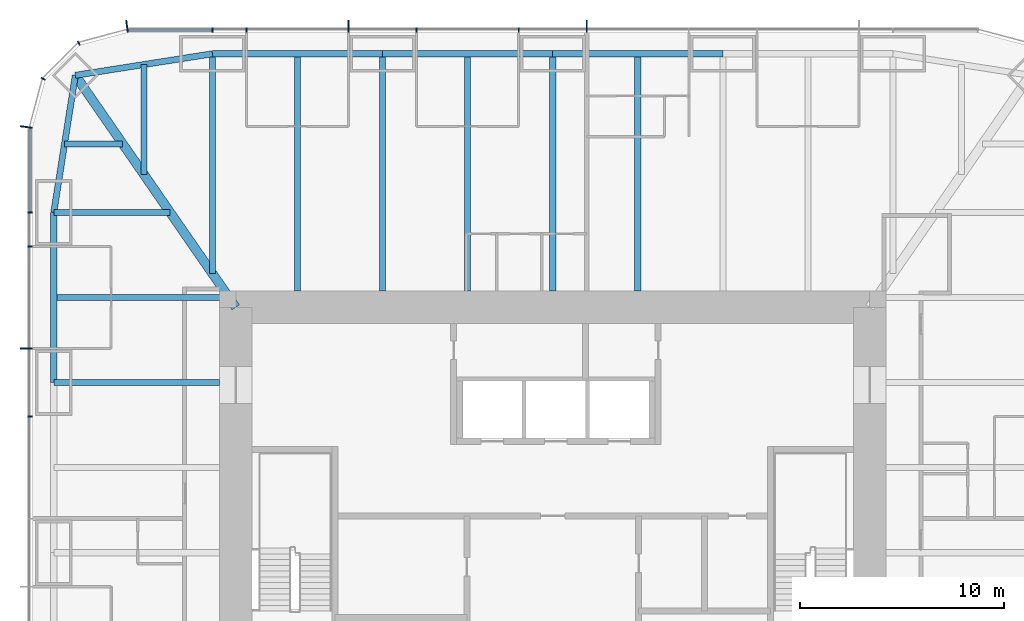
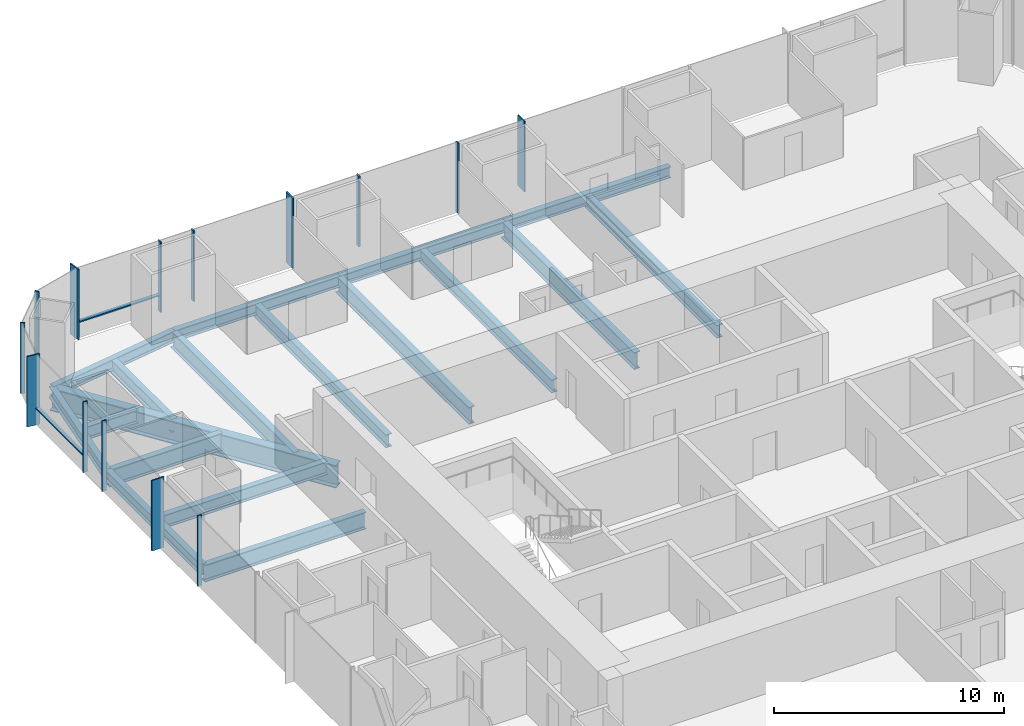
# One storey, part 5 of 13: 18 beams, 16 members, 3 elements without a shape of their own.
"""IFC4 building model written with IfcOpenShell, lengths in metres."""

from ifc_helpers import new_model, si_unit, direction, frame, origin, origin_2d, place, context, subcontext, project, spatial, rectangle, i_section, extrude, material, material_profile, profile_set, type_object, element, aggregate, save


model = new_model("IFC4")

# Units and contexts
model_context = context("Model", 3, precision=1e-05, world=origin(), true_north=direction((0.0, 1.0)))
body_context = subcontext(model_context, "Body", "Model", "MODEL_VIEW")
ifc_project = project(units=[si_unit("LENGTHUNIT", "METRE"), si_unit("AREAUNIT", "SQUARE_METRE"), si_unit("VOLUMEUNIT", "CUBIC_METRE"), si_unit("PLANEANGLEUNIT", "RADIAN"), si_unit("MASSUNIT", "GRAM", prefix="KILO")], contexts=[model_context])

# Site, building, storey
site_placement = place(None, origin())
site = spatial("IfcSite", under=ifc_project, at=site_placement, CompositionType="ELEMENT")
building_placement = place(site_placement, origin())
building = spatial("IfcBuilding", under=site, at=building_placement, Name="Khuree Lantern Residences", CompositionType="ELEMENT")
storey_placement = place(building_placement, frame((0.0, 0.0, 270.75)))
storey = spatial("IfcBuildingStorey", under=building, at=storey_placement, Name="L68", CompositionType="ELEMENT", Elevation=270.75)

# Beams
ifc_material_1 = material(Name="Steel S355", Category="steel")
ifc_material_profile_1 = material_profile(ifc_material_1, i_section(OverallWidth=0.300048828125, OverallDepth=0.68994140625, WebThickness=0.014404296875, FlangeThickness=0.027099609375, FilletRadius=0.027099609375, at=origin_2d()), Name="HE 700 A")
ifc_profile_set_1 = profile_set([ifc_material_profile_1], Name="Steel S355")
beam_type_1 = type_object("IfcBeamType", Name="B-35 SECONDARY BEAM HE 700 A", PredefinedType="BEAM", material=ifc_profile_set_1)
for number, where, z_axis, x_axis, name in (
    (1, (-12.47998046875, 24.39990234375, -0.594970703125), (0.0, -1.0, 0.0), (1.0, 0.0, 0.0), "Secondary beam N1"),
    (2, (-4.159912109375, 24.39990234375, -0.594970703125), (0.0, -1.0, 0.0), (1.0, 0.0, 0.0), "Secondary beam N2"),
    (3, (4.159912109375, 24.39990234375, -0.594970703125), (0.0, -1.0, 0.0), (1.0, 0.0, 0.0), "Secondary beam N3"),
):
    element("IfcBeam", number, at=place(storey_placement, frame(where, z_axis=z_axis, x_axis=x_axis)), inside=storey, type_object=beam_type_1, Name=name, PredefinedType="BEAM", context=body_context, shape_type="SweptSolid", body=[
        extrude(i_section(OverallWidth=0.300048828125, OverallDepth=0.68994140625, WebThickness=0.014404296875, FlangeThickness=0.027099609375, FilletRadius=0.027099609375, at=origin_2d()), origin(), (0.0, 0.0, 1.0), 11.599853515625),
    ])
beam_1_placement = place(storey_placement, frame((-24.39990234375, 12.47998046875, -0.594970703125), z_axis=(1.0, 0.0, 0.0), x_axis=(0.0, 1.0, 0.0)))
element("IfcBeam", 4, at=beam_1_placement, inside=storey, type_object=beam_type_1, Name="Secondary beam W5", PredefinedType="BEAM", context=body_context, shape_type="SweptSolid", body=[
    extrude(i_section(OverallWidth=0.300048828125, OverallDepth=0.68994140625, WebThickness=0.014404296875, FlangeThickness=0.027099609375, FilletRadius=0.027099609375, at=origin_2d()), origin(), (0.0, 0.0, 1.0), 8.56787109375),
])
beam_2_placement = place(storey_placement, frame((-23.872802734375, 19.992919921875, -0.594970703125), z_axis=(1.0, 0.0, 0.0), x_axis=(0.0, 1.0, 0.0)))
element("IfcBeam", 5, at=beam_2_placement, inside=storey, type_object=beam_type_1, Name="Secondary beam W6", PredefinedType="BEAM", context=body_context, shape_type="SweptSolid", body=[
    extrude(i_section(OverallWidth=0.300048828125, OverallDepth=0.68994140625, WebThickness=0.014404296875, FlangeThickness=0.027099609375, FilletRadius=0.027099609375, at=origin_2d()), origin(), (0.0, 0.0, 1.0), 2.845703125),
])
beam_3_placement = place(storey_placement, frame((-19.992919921875, 23.872802734375, -0.594970703125), z_axis=(0.0, -1.0, 0.0), x_axis=(1.0, 0.0, 0.0)))
element("IfcBeam", 6, at=beam_3_placement, inside=storey, type_object=beam_type_1, Name="Secondary beam N6", PredefinedType="BEAM", context=body_context, shape_type="SweptSolid", body=[
    extrude(i_section(OverallWidth=0.300048828125, OverallDepth=0.68994140625, WebThickness=0.014404296875, FlangeThickness=0.027099609375, FilletRadius=0.027099609375, at=origin_2d()), origin(), (0.0, 0.0, 1.0), 5.375732421875),
])
ifc_material_profile_2 = material_profile(ifc_material_1, i_section(OverallWidth=0.300048828125, OverallDepth=0.590087890625, WebThickness=0.012939453125, FlangeThickness=0.02490234375, FilletRadius=0.027099609375, at=origin_2d()), Name="HE 600 A")
ifc_profile_set_2 = profile_set([ifc_material_profile_2], Name="Steel S355")
beam_type_2 = type_object("IfcBeamType", Name="E-35 SPANDREL BEAM HE 600 A", PredefinedType="SPANDREL", material=ifc_profile_set_2)
beam_4_placement = place(storey_placement, frame((-16.639892578125, 24.39990234375, -0.544921875), z_axis=(1.0, 0.0, 0.0), x_axis=(0.0, 1.0, 0.0)))
element("IfcBeam", 7, at=beam_4_placement, inside=storey, type_object=beam_type_2, Name="Spandrel beam N1", PredefinedType="SPANDREL", context=body_context, shape_type="SweptSolid", body=[
    extrude(i_section(OverallWidth=0.300048828125, OverallDepth=0.590087890625, WebThickness=0.012939453125, FlangeThickness=0.02490234375, FilletRadius=0.027099609375, at=origin_2d()), origin(), (0.0, 0.0, 1.0), 8.31982421875),
])
for number, where, z_axis, x_axis, name in (
    (8, (-8.320068359375, 24.39990234375, -0.544921875), (1.0, 0.0, 0.0), (0.0, 1.0, 0.0), "Spandrel beam N2"),
    (9, (0.0, 24.39990234375, -0.544921875), (1.0, 0.0, 0.0), (0.0, 1.0, 0.0), "Spandrel beam N3"),
):
    element("IfcBeam", number, at=place(storey_placement, frame(where, z_axis=z_axis, x_axis=x_axis)), inside=storey, type_object=beam_type_2, Name=name, PredefinedType="SPANDREL", context=body_context, shape_type="SweptSolid", body=[
        extrude(i_section(OverallWidth=0.300048828125, OverallDepth=0.590087890625, WebThickness=0.012939453125, FlangeThickness=0.02490234375, FilletRadius=0.027099609375, at=origin_2d()), origin(), (0.0, 0.0, 1.0), 8.320068359375),
    ])
beam_5_placement = place(storey_placement, frame((-24.39990234375, 8.320068359375, -0.544921875), z_axis=(0.0, 1.0, 0.0), x_axis=(-1.0, 0.0, 0.0)))
element("IfcBeam", 10, at=beam_5_placement, inside=storey, type_object=beam_type_2, Name="Spandrel beam W5", PredefinedType="SPANDREL", context=body_context, shape_type="SweptSolid", body=[
    extrude(i_section(OverallWidth=0.300048828125, OverallDepth=0.590087890625, WebThickness=0.012939453125, FlangeThickness=0.02490234375, FilletRadius=0.027099609375, at=origin_2d()), origin(), (0.0, 0.0, 1.0), 8.31982421875),
])
for number, where, z_axis, x_axis, name in (
    (11, (-24.39990234375, 16.639892578125, -0.544921875), (0.155299507442, 0.98786743189, 0.0), (-0.98786743189, 0.155299507442, 0.0), "Spandrel beam W6"),
    (12, (-23.345703125, 23.345703125, -0.544921875), (0.98786743189, 0.155299507442, 0.0), (-0.155299507442, 0.98786743189, 0.0), "Spandrel beam N6"),
):
    element("IfcBeam", number, at=place(storey_placement, frame(where, z_axis=z_axis, x_axis=x_axis)), inside=storey, type_object=beam_type_2, Name=name, PredefinedType="SPANDREL", context=body_context, shape_type="SweptSolid", body=[
        extrude(i_section(OverallWidth=0.300048828125, OverallDepth=0.590087890625, WebThickness=0.012939453125, FlangeThickness=0.02490234375, FilletRadius=0.027099609375, at=origin_2d()), origin(), (0.0, 0.0, 1.0), 6.7880859375),
    ])

# Curtain wall, members
ifc_material_2 = material(Name="Bronze anodised aluminium", Category="aluminium")
curtain_wall_type_1 = type_object("IfcCurtainWallType", Name="CW-T1 TOWER FACE CURTAIN WALL", PredefinedType="USERDEFINED", material=ifc_material_2)
curtain_wall_1_placement = place(storey_placement, origin())
curtain_wall_1 = element("IfcCurtainWall", 13, at=curtain_wall_1_placement, inside=storey, type_object=curtain_wall_type_1, Name="L68 NORTH FACE CURTAIN WALL", ObjectType="Stick-built curtain wall", PredefinedType="USERDEFINED")
ifc_material_profile_3 = material_profile(ifc_material_2, rectangle(XDim=0.06494140625, YDim=0.60009765625, at=origin_2d()), Name="F1 65X600")
ifc_profile_set_3 = profile_set([ifc_material_profile_3], Name="Bronze anodised aluminium")
member_type_1 = type_object("IfcMemberType", Name="F1 BRONZE FIN MULLION TOWER 65X600", PredefinedType="MULLION", material=ifc_profile_set_3)
member_1_placement = place(storey_placement, frame((1.6640625, 25.75, 0.0), z_axis=(0.0, 0.0, 1.0), x_axis=(-1.0, 0.0, 0.0)))
member_1 = element("IfcMember", 14, at=member_1_placement, type_object=member_type_1, Name="L68 NORTH FACE FIN MULLION 23", PredefinedType="MULLION", context=body_context, shape_type="SweptSolid", body=[
    extrude(rectangle(XDim=0.06494140625, YDim=0.60009765625, at=origin_2d()), origin(), (0.0, 0.0, 1.0), 3.75),
])
member_2_placement = place(storey_placement, frame((-9.98388671875, 25.75, 0.0), z_axis=(0.0, 0.0, 1.0), x_axis=(-1.0, 0.0, 0.0)))
member_2 = element("IfcMember", 15, at=member_2_placement, type_object=member_type_1, Name="L68 NORTH FACE FIN MULLION 26", PredefinedType="MULLION", context=body_context, shape_type="SweptSolid", body=[
    extrude(rectangle(XDim=0.06494140625, YDim=0.60009765625, at=origin_2d()), origin(), (0.0, 0.0, 1.0), 3.75),
])

# Curtain wall, member
curtain_wall_type_2 = type_object("IfcCurtainWallType", Name="CW-T2 TOWER CORNER CURTAIN WALL", PredefinedType="USERDEFINED", material=ifc_material_2)
curtain_wall_2_placement = place(storey_placement, origin())
curtain_wall_2 = element("IfcCurtainWall", 16, at=curtain_wall_2_placement, inside=storey, type_object=curtain_wall_type_2, Name="L68 NORTH-WEST CORNER CURTAIN WALL", ObjectType="Faceted corner curtain wall", PredefinedType="USERDEFINED")
member_3_placement = place(storey_placement, frame((-20.81982421875, 25.75, 0.0), z_axis=(0.0, 0.0, 1.0), x_axis=(-0.991444862943, -0.130526180298, 0.0)))
member_3 = element("IfcMember", 17, at=member_3_placement, type_object=member_type_1, Name="L68 NORTH-WEST CORNER FIN MULLION 29", PredefinedType="MULLION", context=body_context, shape_type="SweptSolid", body=[
    extrude(rectangle(XDim=0.06494140625, YDim=0.60009765625, at=origin_2d()), origin(), (0.0, 0.0, 1.0), 3.75),
])

# Curtain wall, members
curtain_wall_3_placement = place(storey_placement, origin())
curtain_wall_3 = element("IfcCurtainWall", 18, at=curtain_wall_3_placement, inside=storey, type_object=curtain_wall_type_1, Name="L68 WEST FACE CURTAIN WALL", ObjectType="Stick-built curtain wall", PredefinedType="USERDEFINED")
member_4_placement = place(storey_placement, frame((-25.75, 20.81982421875, 0.0), z_axis=(0.0, 0.0, 1.0), x_axis=(-0.130526180298, -0.991444862943, 0.0)))
member_4 = element("IfcMember", 19, at=member_4_placement, type_object=member_type_1, Name="L68 WEST FACE FIN MULLION 32", PredefinedType="MULLION", context=body_context, shape_type="SweptSolid", body=[
    extrude(rectangle(XDim=0.06494140625, YDim=0.60009765625, at=origin_2d()), origin(), (0.0, 0.0, 1.0), 3.75),
])
member_5_placement = place(storey_placement, frame((-25.75, 9.98388671875, 0.0), z_axis=(0.0, 0.0, 1.0), x_axis=(0.0, -1.0, 0.0)))
member_5 = element("IfcMember", 20, at=member_5_placement, type_object=member_type_1, Name="L68 WEST FACE FIN MULLION 35", PredefinedType="MULLION", context=body_context, shape_type="SweptSolid", body=[
    extrude(rectangle(XDim=0.06494140625, YDim=0.60009765625, at=origin_2d()), origin(), (0.0, 0.0, 1.0), 3.75),
])

# Beams
ifc_material_profile_4 = material_profile(ifc_material_1, i_section(OverallWidth=0.300048828125, OverallDepth=0.89990234375, WebThickness=0.0185546875, FlangeThickness=0.034912109375, FilletRadius=0.030029296875, at=origin_2d()), Name="HE 900 B")
ifc_profile_set_4 = profile_set([ifc_material_profile_4], Name="Steel S355")
beam_type_3 = type_object("IfcBeamType", Name="G-35 GIRDER HE 900 B", PredefinedType="BEAM", material=ifc_profile_set_4)
beam_6_placement = place(storey_placement, frame((-16.639892578125, 24.39990234375, -0.699951171875), z_axis=(0.0, -1.0, 0.0), x_axis=(1.0, 0.0, 0.0)))
element("IfcBeam", 21, at=beam_6_placement, inside=storey, type_object=beam_type_3, Name="Girder N1", PredefinedType="BEAM", context=body_context, shape_type="SweptSolid", body=[
    extrude(i_section(OverallWidth=0.300048828125, OverallDepth=0.89990234375, WebThickness=0.0185546875, FlangeThickness=0.034912109375, FilletRadius=0.030029296875, at=origin_2d()), origin(), (0.0, 0.0, 1.0), 10.751220703125),
])
for number, where, z_axis, x_axis, name in (
    (22, (-8.320068359375, 24.39990234375, -0.699951171875), (0.0, -1.0, 0.0), (1.0, 0.0, 0.0), "Girder N2"),
    (23, (0.0, 24.39990234375, -0.699951171875), (0.0, -1.0, 0.0), (1.0, 0.0, 0.0), "Girder N3"),
):
    element("IfcBeam", number, at=place(storey_placement, frame(where, z_axis=z_axis, x_axis=x_axis)), inside=storey, type_object=beam_type_3, Name=name, PredefinedType="BEAM", context=body_context, shape_type="SweptSolid", body=[
        extrude(i_section(OverallWidth=0.300048828125, OverallDepth=0.89990234375, WebThickness=0.0185546875, FlangeThickness=0.034912109375, FilletRadius=0.030029296875, at=origin_2d()), origin(), (0.0, 0.0, 1.0), 11.599853515625),
    ])
beam_7_placement = place(storey_placement, frame((-24.39990234375, 8.320068359375, -0.699951171875), z_axis=(1.0, 0.0, 0.0), x_axis=(0.0, 1.0, 0.0)))
element("IfcBeam", 24, at=beam_7_placement, inside=storey, type_object=beam_type_3, Name="Girder W4", PredefinedType="BEAM", context=body_context, shape_type="SweptSolid", body=[
    extrude(i_section(OverallWidth=0.300048828125, OverallDepth=0.89990234375, WebThickness=0.0185546875, FlangeThickness=0.034912109375, FilletRadius=0.030029296875, at=origin_2d()), origin(), (0.0, 0.0, 1.0), 8.099853515625),
])
beam_8_placement = place(storey_placement, frame((-24.39990234375, 16.639892578125, -0.699951171875), z_axis=(1.0, 0.0, 0.0), x_axis=(0.0, 1.0, 0.0)))
element("IfcBeam", 25, at=beam_8_placement, inside=storey, type_object=beam_type_3, Name="Girder W5", PredefinedType="BEAM", context=body_context, shape_type="SweptSolid", body=[
    extrude(i_section(OverallWidth=0.300048828125, OverallDepth=0.89990234375, WebThickness=0.0185546875, FlangeThickness=0.034912109375, FilletRadius=0.030029296875, at=origin_2d()), origin(), (0.0, 0.0, 1.0), 5.69140625),
])
ifc_material_profile_5 = material_profile(ifc_material_1, i_section(OverallWidth=0.449951171875, OverallDepth=1.199951171875, WebThickness=0.02490234375, FlangeThickness=0.044921875, at=origin_2d()), Name="WELDED I 1200X450X25X45")
ifc_profile_set_5 = profile_set([ifc_material_profile_5], Name="Steel S355")
beam_type_4 = type_object("IfcBeamType", Name="GD-35 CORNER GIRDER WELDED I 1200X450X25X45", PredefinedType="BEAM", material=ifc_profile_set_5)
beam_9_placement = place(storey_placement, frame((-23.345703125, 23.345703125, -0.85009765625), z_axis=(0.56876813501, -0.822497907959, 0.0), x_axis=(0.822497907959, 0.56876813501, 0.0)))
element("IfcBeam", 26, at=beam_9_placement, inside=storey, type_object=beam_type_4, Name="Corner girder NW", PredefinedType="BEAM", context=body_context, shape_type="SweptSolid", body=[
    extrude(i_section(OverallWidth=0.449951171875, OverallDepth=1.199951171875, WebThickness=0.02490234375, FlangeThickness=0.044921875, at=origin_2d()), origin(), (0.0, 0.0, 1.0), 13.794189453125),
])

# Member
ifc_material_profile_6 = material_profile(ifc_material_2, rectangle(XDim=0.06494140625, YDim=0.219970703125, at=origin_2d()), Name="M1 65X220")
ifc_profile_set_6 = profile_set([ifc_material_profile_6], Name="Bronze anodised aluminium")
member_type_2 = type_object("IfcMemberType", Name="M1 BRONZE MULLION TOWER 65X220", PredefinedType="MULLION", material=ifc_profile_set_6)
member_6_placement = place(storey_placement, frame((-1.6640625, 25.56005859375, 0.0), z_axis=(0.0, 0.0, 1.0), x_axis=(-1.0, 0.0, 0.0)))
member_6 = element("IfcMember", 27, at=member_6_placement, type_object=member_type_2, Name="L68 NORTH FACE MULLION 24", PredefinedType="MULLION", context=body_context, shape_type="SweptSolid", body=[
    extrude(rectangle(XDim=0.06494140625, YDim=0.219970703125, at=origin_2d()), origin(), (0.0, 0.0, 1.0), 3.75),
])

member_7_placement = place(storey_placement, frame((-6.656005859375, 25.56005859375, 0.0), z_axis=(0.0, 0.0, 1.0), x_axis=(-1.0, 0.0, 0.0)))
member_7 = element("IfcMember", 28, at=member_7_placement, type_object=member_type_2, Name="L68 NORTH FACE MULLION 25", PredefinedType="MULLION", context=body_context, shape_type="SweptSolid", body=[
    extrude(rectangle(XDim=0.06494140625, YDim=0.219970703125, at=origin_2d()), origin(), (0.0, 0.0, 1.0), 3.75),
])

member_8_placement = place(storey_placement, frame((-14.97607421875, 25.56005859375, 0.0), z_axis=(0.0, 0.0, 1.0), x_axis=(-1.0, 0.0, 0.0)))
member_8 = element("IfcMember", 29, at=member_8_placement, type_object=member_type_2, Name="L68 NORTH FACE MULLION 27", PredefinedType="MULLION", context=body_context, shape_type="SweptSolid", body=[
    extrude(rectangle(XDim=0.06494140625, YDim=0.219970703125, at=origin_2d()), origin(), (0.0, 0.0, 1.0), 3.75),
])

member_9_placement = place(storey_placement, frame((-16.639892578125, 25.56005859375, 0.0), z_axis=(0.0, 0.0, 1.0), x_axis=(-1.0, 0.0, 0.0)))
member_9 = element("IfcMember", 30, at=member_9_placement, type_object=member_type_2, Name="L68 NORTH FACE MULLION 28", PredefinedType="MULLION", context=body_context, shape_type="SweptSolid", body=[
    extrude(rectangle(XDim=0.06494140625, YDim=0.219970703125, at=origin_2d()), origin(), (0.0, 0.0, 1.0), 3.75),
])

member_10_placement = place(storey_placement, frame((-23.179931640625, 24.92236328125, 0.0), z_axis=(0.0, 0.0, 1.0), x_axis=(-0.866025409797, -0.499999989586, 0.0)))
member_10 = element("IfcMember", 31, at=member_10_placement, type_object=member_type_2, Name="L68 NORTH-WEST CORNER MULLION 30", PredefinedType="MULLION", context=body_context, shape_type="SweptSolid", body=[
    extrude(rectangle(XDim=0.06494140625, YDim=0.219970703125, at=origin_2d()), origin(), (0.0, 0.0, 1.0), 3.75),
])

member_11_placement = place(storey_placement, frame((-24.92236328125, 23.179931640625, 0.0), z_axis=(0.0, 0.0, 1.0), x_axis=(-0.499999989586, -0.866025409797, 0.0)))
member_11 = element("IfcMember", 32, at=member_11_placement, type_object=member_type_2, Name="L68 NORTH-WEST CORNER MULLION 31", PredefinedType="MULLION", context=body_context, shape_type="SweptSolid", body=[
    extrude(rectangle(XDim=0.06494140625, YDim=0.219970703125, at=origin_2d()), origin(), (0.0, 0.0, 1.0), 3.75),
])

aggregate(curtain_wall_2, [member_3, member_10, member_11])

member_12_placement = place(storey_placement, frame((-25.56005859375, 16.639892578125, 0.0), z_axis=(0.0, 0.0, 1.0), x_axis=(0.0, -1.0, 0.0)))
member_12 = element("IfcMember", 33, at=member_12_placement, type_object=member_type_2, Name="L68 WEST FACE MULLION 33", PredefinedType="MULLION", context=body_context, shape_type="SweptSolid", body=[
    extrude(rectangle(XDim=0.06494140625, YDim=0.219970703125, at=origin_2d()), origin(), (0.0, 0.0, 1.0), 3.75),
])

member_13_placement = place(storey_placement, frame((-25.56005859375, 14.97607421875, 0.0), z_axis=(0.0, 0.0, 1.0), x_axis=(0.0, -1.0, 0.0)))
member_13 = element("IfcMember", 34, at=member_13_placement, type_object=member_type_2, Name="L68 WEST FACE MULLION 34", PredefinedType="MULLION", context=body_context, shape_type="SweptSolid", body=[
    extrude(rectangle(XDim=0.06494140625, YDim=0.219970703125, at=origin_2d()), origin(), (0.0, 0.0, 1.0), 3.75),
])

member_14_placement = place(storey_placement, frame((-25.56005859375, 6.656005859375, 0.0), z_axis=(0.0, 0.0, 1.0), x_axis=(0.0, -1.0, 0.0)))
member_14 = element("IfcMember", 35, at=member_14_placement, type_object=member_type_2, Name="L68 WEST FACE MULLION 36", PredefinedType="MULLION", context=body_context, shape_type="SweptSolid", body=[
    extrude(rectangle(XDim=0.06494140625, YDim=0.219970703125, at=origin_2d()), origin(), (0.0, 0.0, 1.0), 3.75),
])

ifc_material_profile_7 = material_profile(ifc_material_2, rectangle(XDim=0.179931640625, YDim=0.06494140625, at=origin_2d()), Name="T1 180X65")
ifc_profile_set_7 = profile_set([ifc_material_profile_7], Name="Bronze anodised aluminium")
member_type_3 = type_object("IfcMemberType", Name="TRANSOM T1 TOWER 180X65", PredefinedType="USERDEFINED", material=ifc_profile_set_7)
member_15_placement = place(storey_placement, frame((-16.672607421875, 25.570068359375, 0.89990234375), z_axis=(-1.0, 0.0, 0.0), x_axis=(0.0, -1.0, 0.0)))
member_15 = element("IfcMember", 36, at=member_15_placement, type_object=member_type_3, Name="L68 NORTH FACE TRANSOM 28.1", ObjectType="Transom", PredefinedType="USERDEFINED", context=body_context, shape_type="SweptSolid", body=[
    extrude(rectangle(XDim=0.179931640625, YDim=0.06494140625, at=origin_2d()), origin(), (0.0, 0.0, 1.0), 4.078857421875),
])

aggregate(curtain_wall_1, [member_1, member_6, member_7, member_2, member_8, member_9, member_15])

member_16_placement = place(storey_placement, frame((-25.570068359375, 20.75146484375, 0.89990234375), z_axis=(0.0, -1.0, 0.0), x_axis=(1.0, 0.0, 0.0)))
member_16 = element("IfcMember", 37, at=member_16_placement, type_object=member_type_3, Name="L68 WEST FACE TRANSOM 32.1", ObjectType="Transom", PredefinedType="USERDEFINED", context=body_context, shape_type="SweptSolid", body=[
    extrude(rectangle(XDim=0.179931640625, YDim=0.06494140625, at=origin_2d()), origin(), (0.0, 0.0, 1.0), 4.078857421875),
])

aggregate(curtain_wall_3, [member_4, member_12, member_13, member_5, member_14, member_16])

save(model, "model.ifc")
